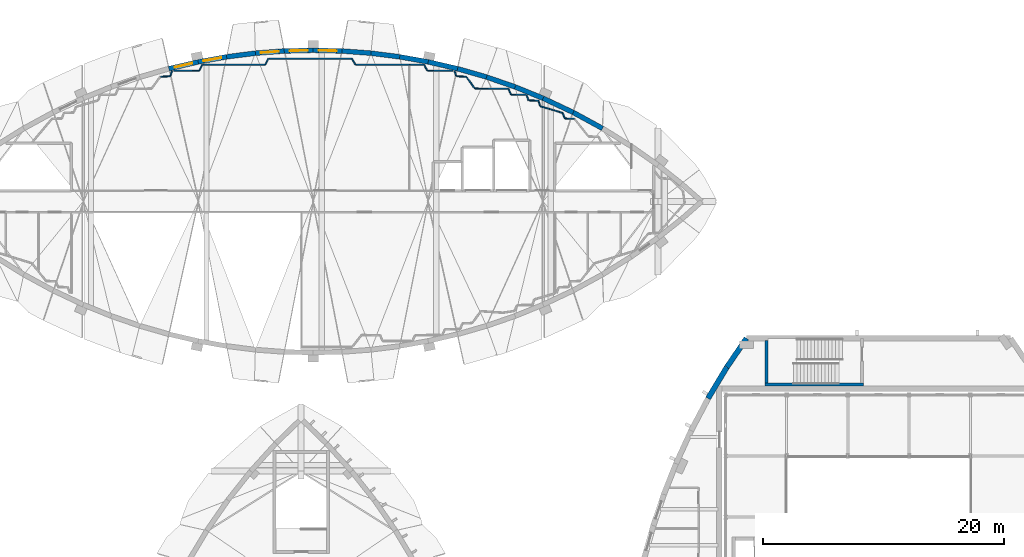
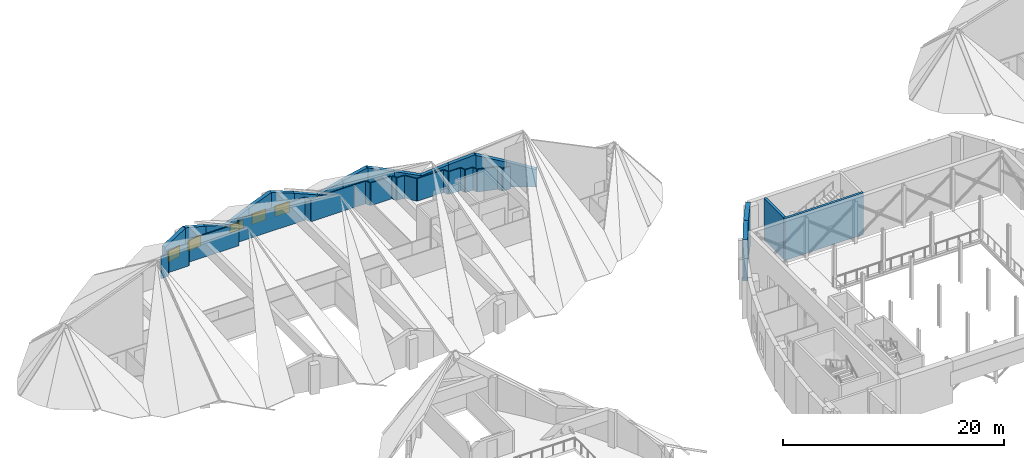
# One storey, part 42 of 56: 43 walls, 5 windows, 5 openings.
"""IFC4 building model written with IfcOpenShell, lengths in metres."""

from ifc_helpers import new_model, si_unit, direction, frame, frame_2d, origin, place, context, subcontext, project, spatial, polyline, rectangle, outline, extrude, material, layer, layer_set, type_object, element, fill, save


model = new_model("IFC4")

# Units and contexts
model_context = context("Model", 3, precision=1e-05, world=origin(), true_north=direction((0.0, 1.0)))
body_context = subcontext(model_context, "Body", "Model", "MODEL_VIEW")
ifc_project = project(units=[si_unit("LENGTHUNIT", "METRE"), si_unit("AREAUNIT", "SQUARE_METRE"), si_unit("VOLUMEUNIT", "CUBIC_METRE"), si_unit("PLANEANGLEUNIT", "RADIAN"), si_unit("MASSUNIT", "GRAM", prefix="KILO")], contexts=[model_context])

# Site, building, storey
site_placement = place(None, origin())
site = spatial("IfcSite", under=ifc_project, at=site_placement, CompositionType="ELEMENT")
building_placement = place(site_placement, origin())
building = spatial("IfcBuilding", under=site, at=building_placement, Name="Tide Square Theatres", CompositionType="ELEMENT")
storey_placement = place(building_placement, frame((0.0, 0.0, 10.199951171875)))
storey = spatial("IfcBuildingStorey", under=building, at=storey_placement, Name="L02", CompositionType="ELEMENT", Elevation=10.199951171875)

# Walls
ifc_material_1 = material(Name="Gypsum board on steel studs", Category="steel")
ifc_layer_1 = layer(ifc_material_1, 0.10009765625)
ifc_layer_set_1 = layer_set([ifc_layer_1], Name="Gypsum board on steel studs")
wall_type_1 = type_object("IfcWallType", Name="Partition 100 thick", PredefinedType="PARTITIONING", material=ifc_layer_set_1)
wall_1_placement = place(storey_placement, frame((24.31494140625, 108.171630859375, 0.0), z_axis=(0.0, 0.0, 1.0), x_axis=(0.999045756938, 0.043675800441, 0.0)))
element("IfcWall", 1, at=wall_1_placement, inside=storey, type_object=wall_type_1, Name="Scenery Workshops partition", PredefinedType="PARTITIONING", context=body_context, shape_type="SweptSolid", body=[
    extrude(rectangle(XDim=0.79931640625, YDim=0.10009765625, at=frame_2d((0.399658203125, 0.0))), origin(), (0.0, 0.0, 1.0), 2.5),
])
wall_2_placement = place(storey_placement, frame((25.12353515625, 108.234619140625, 0.0), z_axis=(0.0, 0.0, 1.0), x_axis=(0.33308542837, 0.942896652559, 0.0)))
element("IfcWall", 2, at=wall_2_placement, inside=storey, type_object=wall_type_1, Name="Scenery Workshops partition", PredefinedType="PARTITIONING", context=body_context, shape_type="SweptSolid", body=[
    extrude(rectangle(XDim=0.43310546875, YDim=0.10009765625, at=frame_2d((0.216552734375, 0.0))), origin(), (0.0, 0.0, 1.0), 2.5),
])
wall_3_placement = place(storey_placement, frame((25.3896484375, 108.67138671875, 0.0), z_axis=(0.0, 0.0, 1.0), x_axis=(0.999996564981, 0.002621073618, 0.0)))
element("IfcWall", 3, at=wall_3_placement, inside=storey, type_object=wall_type_1, Name="Scenery Workshops partition", PredefinedType="PARTITIONING", context=body_context, shape_type="SweptSolid", body=[
    extrude(rectangle(XDim=2.142333984375, YDim=0.10009765625, at=frame_2d((1.0712890625, 0.0))), origin(), (0.0, 0.0, 1.0), 2.5),
])
wall_4_placement = place(storey_placement, frame((27.54541015625, 108.70361328125, 0.0), z_axis=(0.0, 0.0, 1.0), x_axis=(0.450752714932, 0.892648861525, 0.0)))
element("IfcWall", 4, at=wall_4_placement, inside=storey, type_object=wall_type_1, Name="Scenery Workshops partition", PredefinedType="PARTITIONING", context=body_context, shape_type="SweptSolid", body=[
    extrude(rectangle(XDim=0.523681640625, YDim=0.10009765625, at=frame_2d((0.26171875, 0.0))), origin(), (0.0, 0.0, 1.0), 2.5),
])
wall_5_placement = place(storey_placement, frame((27.811279296875, 109.171142578125, 0.0), z_axis=(0.0, 0.0, 1.0), x_axis=(0.999999960195, 0.000282153763, 0.0)))
element("IfcWall", 5, at=wall_5_placement, inside=storey, type_object=wall_type_1, Name="Scenery Workshops partition", PredefinedType="PARTITIONING", context=body_context, shape_type="SweptSolid", body=[
    extrude(rectangle(XDim=5.191650390625, YDim=0.10009765625, at=frame_2d((2.595703125, 0.0))), origin(), (0.0, 0.0, 1.0), 2.5),
])
wall_6_placement = place(storey_placement, frame((33.017578125, 109.19873046875, 0.0), z_axis=(0.0, 0.0, 1.0), x_axis=(0.489426541751, 0.872044528811, 0.0)))
element("IfcWall", 6, at=wall_6_placement, inside=storey, type_object=wall_type_1, Name="Scenery Workshops partition", PredefinedType="PARTITIONING", context=body_context, shape_type="SweptSolid", body=[
    extrude(rectangle(XDim=0.541748046875, YDim=0.10009765625, at=frame_2d((0.27099609375, 0.0))), origin(), (0.0, 0.0, 1.0), 2.5),
])
wall_7_placement = place(storey_placement, frame((33.3125, 109.671142578125, 0.0), z_axis=(0.0, 0.0, 1.0), x_axis=(0.999999999377, 3.5295779e-05, 0.0)))
element("IfcWall", 7, at=wall_7_placement, inside=storey, type_object=wall_type_1, Name="Scenery Workshops partition", PredefinedType="PARTITIONING", context=body_context, shape_type="SweptSolid", body=[
    extrude(rectangle(XDim=6.9169921875, YDim=0.10009765625, at=frame_2d((3.45849609375, 0.0))), origin(), (0.0, 0.0, 1.0), 2.5),
])
wall_8_placement = place(storey_placement, frame((40.243896484375, 109.645263671875, 0.0), z_axis=(0.0, 0.0, 1.0), x_axis=(0.489234259107, -0.872152417709, 0.0)))
element("IfcWall", 8, at=wall_8_placement, inside=storey, type_object=wall_type_1, Name="Scenery Workshops partition", PredefinedType="PARTITIONING", context=body_context, shape_type="SweptSolid", body=[
    extrude(rectangle(XDim=0.5419921875, YDim=0.10009765625, at=frame_2d((0.27099609375, 0.0))), origin(), (0.0, 0.0, 1.0), 2.5),
])
wall_9_placement = place(storey_placement, frame((40.5390625, 109.172607421875, 0.0), z_axis=(0.0, 0.0, 1.0), x_axis=(0.999999976038, -0.00021891418, 0.0)))
element("IfcWall", 9, at=wall_9_placement, inside=storey, type_object=wall_type_1, Name="Scenery Workshops partition", PredefinedType="PARTITIONING", context=body_context, shape_type="SweptSolid", body=[
    extrude(rectangle(XDim=4.4609375, YDim=0.10009765625, at=frame_2d((2.23046875, 0.0))), origin(), (0.0, 0.0, 1.0), 2.5),
])
wall_10_placement = place(storey_placement, frame((45.0400390625, 109.171630859375, 0.0), z_axis=(0.0, 0.0, 1.0), x_axis=(0.99999997897, -0.000205086132, 0.0)))
element("IfcWall", 10, at=wall_10_placement, inside=storey, type_object=wall_type_1, Name="Scenery Workshops partition", PredefinedType="PARTITIONING", context=body_context, shape_type="SweptSolid", body=[
    extrude(rectangle(XDim=1.1904296875, YDim=0.10009765625, at=frame_2d((0.59521484375, 0.0))), origin(), (0.0, 0.0, 1.0), 2.5),
])
wall_11_placement = place(storey_placement, frame((46.244140625, 109.14453125, 0.0), z_axis=(0.0, 0.0, 1.0), x_axis=(0.450752714932, -0.892648861525, 0.0)))
element("IfcWall", 11, at=wall_11_placement, inside=storey, type_object=wall_type_1, Name="Scenery Workshops partition", PredefinedType="PARTITIONING", context=body_context, shape_type="SweptSolid", body=[
    extrude(rectangle(XDim=0.523681640625, YDim=0.10009765625, at=frame_2d((0.26171875, 0.0))), origin(), (0.0, 0.0, 1.0), 2.5),
])
wall_12_placement = place(storey_placement, frame((46.510009765625, 108.6767578125, 0.0), z_axis=(0.0, 0.0, 1.0), x_axis=(0.999997017979, -0.002442137153, 0.0)))
element("IfcWall", 12, at=wall_12_placement, inside=storey, type_object=wall_type_1, Name="Scenery Workshops partition", PredefinedType="PARTITIONING", context=body_context, shape_type="SweptSolid", body=[
    extrude(rectangle(XDim=2.099365234375, YDim=0.10009765625, at=frame_2d((1.0498046875, 0.0))), origin(), (0.0, 0.0, 1.0), 2.5),
])
wall_13_placement = place(storey_placement, frame((48.745361328125, 108.64013671875, 0.0), z_axis=(0.0, 0.0, 1.0), x_axis=(0.332903434189, -0.942960923636, 0.0)))
element("IfcWall", 13, at=wall_13_placement, inside=storey, type_object=wall_type_1, Name="Scenery Workshops partition", PredefinedType="PARTITIONING", context=body_context, shape_type="SweptSolid", body=[
    extrude(rectangle(XDim=0.459716796875, YDim=0.10009765625, at=frame_2d((0.22998046875, 0.0))), origin(), (0.0, 0.0, 1.0), 2.5),
])
wall_14_placement = place(storey_placement, frame((48.928466796875, 108.205078125, 0.0), z_axis=(0.0, 0.0, 1.0), x_axis=(0.999058462777, -0.043384190127, 0.0)))
element("IfcWall", 14, at=wall_14_placement, inside=storey, type_object=wall_type_1, Name="Scenery Workshops partition", PredefinedType="PARTITIONING", context=body_context, shape_type="SweptSolid", body=[
    extrude(rectangle(XDim=0.799072265625, YDim=0.10009765625, at=frame_2d((0.3994140625, 0.0))), origin(), (0.0, 0.0, 1.0), 2.5),
])
wall_15_placement = place(storey_placement, frame((49.74462890625, 108.146240234375, 0.0), z_axis=(0.0, 0.0, 1.0), x_axis=(0.589317177095, -0.807901766789, 0.0)))
element("IfcWall", 15, at=wall_15_placement, inside=storey, type_object=wall_type_1, Name="Scenery Workshops partition", PredefinedType="PARTITIONING", context=body_context, shape_type="SweptSolid", body=[
    extrude(rectangle(XDim=1.190673828125, YDim=0.10009765625, at=frame_2d((0.59521484375, 0.0))), origin(), (0.0, 0.0, 1.0), 2.5),
])
wall_16_placement = place(storey_placement, frame((50.476318359375, 107.18408203125, 0.0), z_axis=(0.0, 0.0, 1.0), x_axis=(0.999988975535, -0.004695615815, 0.0)))
element("IfcWall", 16, at=wall_16_placement, inside=storey, type_object=wall_type_1, Name="Scenery Workshops partition", PredefinedType="PARTITIONING", context=body_context, shape_type="SweptSolid", body=[
    extrude(rectangle(XDim=2.755615234375, YDim=0.10009765625, at=frame_2d((1.3779296875, 0.0))), origin(), (0.0, 0.0, 1.0), 2.5),
])
wall_17_placement = place(storey_placement, frame((53.244140625, 107.143798828125, 0.0), z_axis=(0.0, 0.0, 1.0), x_axis=(0.411833069316, -0.911259306135, 0.0)))
element("IfcWall", 17, at=wall_17_placement, inside=storey, type_object=wall_type_1, Name="Scenery Workshops partition", PredefinedType="PARTITIONING", context=body_context, shape_type="SweptSolid", body=[
    extrude(rectangle(XDim=0.50439453125, YDim=0.10009765625, at=frame_2d((0.252197265625, 0.0))), origin(), (0.0, 0.0, 1.0), 2.5),
])
wall_18_placement = place(storey_placement, frame((53.48193359375, 106.683837890625, 0.0), z_axis=(0.0, 0.0, 1.0), x_axis=(0.99994844942, -0.010153743286, 0.0)))
element("IfcWall", 18, at=wall_18_placement, inside=storey, type_object=wall_type_1, Name="Scenery Workshops partition", PredefinedType="PARTITIONING", context=body_context, shape_type="SweptSolid", body=[
    extrude(rectangle(XDim=1.250244140625, YDim=0.10009765625, at=frame_2d((0.625, 0.0))), origin(), (0.0, 0.0, 1.0), 2.5),
])
wall_19_placement = place(storey_placement, frame((54.74462890625, 106.641845703125, 0.0), z_axis=(0.0, 0.0, 1.0), x_axis=(0.333152028808, -0.942873122801, 0.0)))
element("IfcWall", 19, at=wall_19_placement, inside=storey, type_object=wall_type_1, Name="Scenery Workshops partition", PredefinedType="PARTITIONING", context=body_context, shape_type="SweptSolid", body=[
    extrude(rectangle(XDim=0.461669921875, YDim=0.10009765625, at=frame_2d((0.23095703125, 0.0))), origin(), (0.0, 0.0, 1.0), 2.5),
])
wall_20_placement = place(storey_placement, frame((54.928466796875, 106.205078125, 0.0), z_axis=(0.0, 0.0, 1.0), x_axis=(0.999066390707, -0.043201237941, 0.0)))
element("IfcWall", 20, at=wall_20_placement, inside=storey, type_object=wall_type_1, Name="Scenery Workshops partition", PredefinedType="PARTITIONING", context=body_context, shape_type="SweptSolid", body=[
    extrude(rectangle(XDim=0.80810546875, YDim=0.10009765625, at=frame_2d((0.404052734375, 0.0))), origin(), (0.0, 0.0, 1.0), 2.5),
])
wall_21_placement = place(storey_placement, frame((55.74462890625, 106.141357421875, 0.0), z_axis=(0.0, 0.0, 1.0), x_axis=(0.293777716548, -0.955873764291, 0.0)))
element("IfcWall", 21, at=wall_21_placement, inside=storey, type_object=wall_type_1, Name="Scenery Workshops partition", PredefinedType="PARTITIONING", context=body_context, shape_type="SweptSolid", body=[
    extrude(rectangle(XDim=0.445556640625, YDim=0.10009765625, at=frame_2d((0.22265625, 0.0))), origin(), (0.0, 0.0, 1.0), 2.5),
])
wall_22_placement = place(storey_placement, frame((55.904296875, 105.70703125, 0.0), z_axis=(0.0, 0.0, 1.0), x_axis=(0.958791665813, -0.284110087057, 0.0)))
element("IfcWall", 22, at=wall_22_placement, inside=storey, type_object=wall_type_1, Name="Scenery Workshops partition", PredefinedType="PARTITIONING", context=body_context, shape_type="SweptSolid", body=[
    extrude(rectangle(XDim=1.91015625, YDim=0.10009765625, at=frame_2d((0.955078125, 0.0))), origin(), (0.0, 0.0, 1.0), 2.5),
])
wall_23_placement = place(storey_placement, frame((57.743408203125, 105.145751953125, 0.0), z_axis=(0.0, 0.0, 1.0), x_axis=(0.372082240261, -0.928199766474, 0.0)))
element("IfcWall", 23, at=wall_23_placement, inside=storey, type_object=wall_type_1, Name="Scenery Workshops partition", PredefinedType="PARTITIONING", context=body_context, shape_type="SweptSolid", body=[
    extrude(rectangle(XDim=0.48681640625, YDim=0.10009765625, at=frame_2d((0.243408203125, 0.0))), origin(), (0.0, 0.0, 1.0), 2.5),
])
wall_24_placement = place(storey_placement, frame((57.95458984375, 104.693115234375, 0.0), z_axis=(0.0, 0.0, 1.0), x_axis=(0.999585085913, -0.028803750101, 0.0)))
element("IfcWall", 24, at=wall_24_placement, inside=storey, type_object=wall_type_1, Name="Scenery Workshops partition", PredefinedType="PARTITIONING", context=body_context, shape_type="SweptSolid", body=[
    extrude(rectangle(XDim=0.771240234375, YDim=0.10009765625, at=frame_2d((0.3857421875, 0.0))), origin(), (0.0, 0.0, 1.0), 2.5),
])
ifc_material_2 = material(Name="Concrete C40", Category="concrete")
ifc_layer_2 = layer(ifc_material_2, 0.39990234375)
ifc_layer_set_2 = layer_set([ifc_layer_2], Name="Concrete C40")
wall_type_2 = type_object("IfcWallType", Name="RC curved wall 400 thick", PredefinedType="SOLIDWALL", material=ifc_layer_set_2)
wall_25_placement = place(storey_placement, frame((61.0615234375, 103.870849609375, 0.0), z_axis=(0.0, 0.0, 1.0), x_axis=(-0.878255502871, 0.478191668347, 0.0)))
element("IfcWall", 25, at=wall_25_placement, inside=storey, type_object=wall_type_2, Name="Scenery Workshops perimeter wall 032", PredefinedType="SOLIDWALL", context=body_context, shape_type="SweptSolid", body=[
    extrude(outline(polyline([(0.0, 0.0), (2.771728515625, 0.0), (2.771728515625, 2.76416015625), (2.737060546875, 2.7529296875), (0.09912109375, 1.896240234375), (0.0, 1.96630859375), (0.0, 0.0)])), frame((0.0, 0.199951171875, 0.0), z_axis=(0.0, -1.0, 0.0), x_axis=(1.0, 0.0, 0.0)), (0.0, 0.0, 1.0), 0.39990234375),
])
wall_26_placement = place(storey_placement, frame((58.627197265625, 105.1962890625, 0.0), z_axis=(0.0, 0.0, 1.0), x_axis=(-0.904561064695, 0.42634408667, 0.0)))
element("IfcWall", 26, at=wall_26_placement, inside=storey, type_object=wall_type_2, Name="Scenery Workshops perimeter wall 033", PredefinedType="SOLIDWALL", context=body_context, shape_type="SweptSolid", body=[
    extrude(outline(polyline([(0.0, 0.0), (2.772216796875, 0.0), (2.772216796875, 3.673828125), (2.75, 3.666748046875), (2.65576171875, 3.635986328125), (2.561279296875, 3.60546875), (0.0, 2.768310546875), (0.0, 0.0)])), frame((0.0, 0.199951171875, 0.0), z_axis=(0.0, -1.0, 0.0), x_axis=(1.0, 0.0, 0.0)), (0.0, 0.0, 1.0), 0.39990234375),
])
wall_27_placement = place(storey_placement, frame((56.11962890625, 106.378173828125, 0.0), z_axis=(0.0, 0.0, 1.0), x_axis=(-0.926688932252, 0.375829246921, 0.0)))
element("IfcWall", 27, at=wall_27_placement, inside=storey, type_object=wall_type_2, Name="Scenery Workshops perimeter wall 034", PredefinedType="SOLIDWALL", context=body_context, shape_type="SweptSolid", body=[
    extrude(outline(polyline([(0.0, 0.0), (2.5107421875, 0.0), (2.5107421875, 2.879150390625), (2.36669921875, 2.930908203125), (0.194580078125, 3.709228515625), (0.113525390625, 3.738525390625), (0.0, 3.677734375), (0.0, 0.0)])), frame((0.0, 0.199951171875, 0.0), z_axis=(0.0, -1.0, 0.0), x_axis=(1.0, 0.0, 0.0)), (0.0, 0.0, 1.0), 0.39990234375),
])
wall_28_placement = place(storey_placement, frame((53.79296875, 107.32177734375, 0.0), z_axis=(0.0, 0.0, 1.0), x_axis=(-0.945175475032, 0.326562890417, 0.0)))
element("IfcWall", 28, at=wall_28_placement, inside=storey, type_object=wall_type_2, Name="Scenery Workshops perimeter wall 035", PredefinedType="SOLIDWALL", context=body_context, shape_type="SweptSolid", body=[
    extrude(outline(polyline([(0.0, 0.0), (2.51123046875, 0.0), (2.510986328125, 1.987060546875), (2.3212890625, 2.050048828125), (0.12890625, 2.8359375), (0.0, 2.875732421875), (0.0, 0.0)])), frame((0.0, 0.199951171875, 0.0), z_axis=(0.0, -1.0, 0.0), x_axis=(1.0, 0.0, 0.0)), (0.0, 0.0, 1.0), 0.39990234375),
])
wall_29_placement = place(storey_placement, frame((51.41943359375, 108.141845703125, 0.0), z_axis=(0.0, 0.0, 1.0), x_axis=(-0.961008605775, 0.276518461637, 0.0)))
element("IfcWall", 29, at=wall_29_placement, inside=storey, type_object=wall_type_2, Name="Scenery Workshops perimeter wall 036", PredefinedType="SOLIDWALL", context=body_context, shape_type="SweptSolid", body=[
    extrude(outline(polyline([(0.0, 0.0), (2.510986328125, 0.0), (2.510986328125, 2.890625), (2.498779296875, 2.88623046875), (0.0, 1.99072265625), (0.0, 0.0)])), frame((0.0, 0.199951171875, 0.0), z_axis=(0.0, -1.0, 0.0), x_axis=(1.0, 0.0, 0.0)), (0.0, 0.0, 1.0), 0.39990234375),
])
wall_30_placement = place(storey_placement, frame((49.00634765625, 108.836181640625, 0.0), z_axis=(0.0, 0.0, 1.0), x_axis=(-0.974189274843, 0.225732710925, 0.0)))
element("IfcWall", 30, at=wall_30_placement, inside=storey, type_object=wall_type_2, Name="Scenery Workshops perimeter wall 037", PredefinedType="SOLIDWALL", context=body_context, shape_type="SweptSolid", body=[
    extrude(outline(polyline([(0.0, 0.0), (2.511474609375, 0.0), (2.51123046875, 3.796875), (2.4716796875, 3.78271484375), (2.37890625, 3.74951171875), (0.0, 2.89453125), (0.0, 0.0)])), frame((0.0, 0.199951171875, 0.0), z_axis=(0.0, -1.0, 0.0), x_axis=(1.0, 0.0, 0.0)), (0.0, 0.0, 1.0), 0.39990234375),
])
wall_31_placement = place(storey_placement, frame((46.559814453125, 109.403076171875, 0.0), z_axis=(0.0, 0.0, 1.0), x_axis=(-0.984524011381, 0.175249738987, 0.0)))
element("IfcWall", 31, at=wall_31_placement, inside=storey, type_object=wall_type_2, Name="Scenery Workshops perimeter wall 038", PredefinedType="SOLIDWALL", context=body_context, shape_type="SweptSolid", body=[
    extrude(outline(polyline([(0.0, 0.0), (2.406005859375, 0.0), (2.406005859375, 2.943603515625), (2.328125, 2.97265625), (0.0849609375, 3.811767578125), (0.0, 3.80078125), (0.0, 0.0)])), frame((0.0, 0.199951171875, 0.0), z_axis=(0.0, -1.0, 0.0), x_axis=(1.0, 0.0, 0.0)), (0.0, 0.0, 1.0), 0.39990234375),
])
wall_32_placement = place(storey_placement, frame((44.191162109375, 109.82470703125, 0.0), z_axis=(0.0, 0.0, 1.0), x_axis=(-0.99208939311, 0.125533406227, 0.0)))
element("IfcWall", 32, at=wall_32_placement, inside=storey, type_object=wall_type_2, Name="Scenery Workshops perimeter wall 039", PredefinedType="SOLIDWALL", context=body_context, shape_type="SweptSolid", body=[
    extrude(outline(polyline([(0.0, 0.0), (2.40576171875, 0.0), (2.406005859375, 2.041259765625), (2.298095703125, 2.08154296875), (0.06640625, 2.916259765625), (0.0, 2.93994140625), (0.0, 0.0)])), frame((0.0, 0.199951171875, 0.0), z_axis=(0.0, -1.0, 0.0), x_axis=(1.0, 0.0, 0.0)), (0.0, 0.0, 1.0), 0.39990234375),
])
wall_33_placement = place(storey_placement, frame((41.804443359375, 110.126708984375, 0.0), z_axis=(0.0, 0.0, 1.0), x_axis=(-0.997153910364, 0.075392831525, 0.0)))
element("IfcWall", 33, at=wall_33_placement, inside=storey, type_object=wall_type_2, Name="Scenery Workshops perimeter wall 040", PredefinedType="SOLIDWALL", context=body_context, shape_type="SweptSolid", body=[
    extrude(outline(polyline([(0.0, 0.0), (2.406005859375, 0.0), (2.406005859375, 2.94140625), (2.383056640625, 2.933349609375), (0.06103515625, 2.0634765625), (0.0, 2.04052734375), (0.0, 0.0)])), frame((0.0, 0.199951171875, 0.0), z_axis=(0.0, -1.0, 0.0), x_axis=(1.0, 0.0, 0.0)), (0.0, 0.0, 1.0), 0.39990234375),
])

# Wall, opening, window
wall_34_placement = place(storey_placement, frame((39.4052734375, 110.30810546875, 0.0), z_axis=(0.0, 0.0, 1.0), x_axis=(-0.999683321759, 0.025164582196, 0.0)))
wall_34 = element("IfcWall", 34, at=wall_34_placement, inside=storey, type_object=wall_type_2, Name="Scenery Workshops perimeter wall 041", PredefinedType="SOLIDWALL", context=body_context, shape_type="SweptSolid", body=[
    extrude(outline(polyline([(0.0, 0.0), (2.406005859375, 0.0), (2.406005859375, 3.844970703125), (2.33349609375, 3.81787109375), (0.0, 2.945068359375), (0.0, 0.0)])), frame((0.0, 0.199951171875, 0.0), z_axis=(0.0, -1.0, 0.0), x_axis=(1.0, 0.0, 0.0)), (0.0, 0.0, 1.0), 0.39990234375),
])
opening_1_placement = place(wall_34_placement, frame((0.452880859375, 0.0, 0.89990234375)))
opening_1 = element("IfcOpeningElement", 35, at=opening_1_placement, cuts=wall_34, Name="Opening WN-03", PredefinedType="OPENING", context=body_context, shape_type="SweptSolid", body=[
    extrude(rectangle(XDim=1.5, YDim=1.199951171875, at=frame_2d((0.75, 0.60009765625))), frame((0.0, 0.2099609375, 0.0), z_axis=(0.0, -1.0, 0.0), x_axis=(1.0, 0.0, 0.0)), (0.0, 0.0, 1.0), 0.419921875),
])
ifc_material_3 = material(Name="Aluminium with laminated glass", Category="aluminium")
window_type_1 = type_object("IfcWindowType", Name="Window 1500 x 1200", PartitioningType="SINGLE_PANEL", PredefinedType="WINDOW", material=ifc_material_3)
window_1_placement = place(opening_1_placement, origin())
window_1 = element("IfcWindow", 36, at=window_1_placement, inside=storey, type_object=window_type_1, Name="Scenery Workshops window L02-94", OverallHeight=1.199951171875, OverallWidth=1.5, PartitioningType="SINGLE_PANEL", PredefinedType="WINDOW", context=body_context, shape_type="SweptSolid", body=[
    extrude(rectangle(XDim=1.5, YDim=1.199951171875, at=frame_2d((0.75, 0.60009765625))), frame((0.0, 0.030029296875, 0.0), z_axis=(0.0, -1.0, 0.0), x_axis=(1.0, 0.0, 0.0)), (0.0, 0.0, 1.0), 0.06005859375),
])
fill(opening_1, window_1)

wall_35_placement = place(storey_placement, frame((37.0, 110.36865234375, 0.0), z_axis=(0.0, 0.0, 1.0), x_axis=(-0.999683321759, -0.025164582196, 0.0)))
wall_35 = element("IfcWall", 37, at=wall_35_placement, inside=storey, type_object=wall_type_2, Name="Scenery Workshops perimeter wall 042", PredefinedType="SOLIDWALL", context=body_context, shape_type="SweptSolid", body=[
    extrude(outline(polyline([(0.0, 0.0), (2.406005859375, 0.0), (2.406005859375, 2.945068359375), (2.372802734375, 2.95751953125), (0.0625, 3.821533203125), (0.0, 3.844970703125), (0.0, 0.0)])), frame((0.0, 0.199951171875, 0.0), z_axis=(0.0, -1.0, 0.0), x_axis=(1.0, 0.0, 0.0)), (0.0, 0.0, 1.0), 0.39990234375),
])
opening_2_placement = place(wall_35_placement, frame((0.452880859375, 0.0, 0.89990234375)))
opening_2 = element("IfcOpeningElement", 38, at=opening_2_placement, cuts=wall_35, Name="Opening WN-03", PredefinedType="OPENING", context=body_context, shape_type="SweptSolid", body=[
    extrude(rectangle(XDim=1.5, YDim=1.199951171875, at=frame_2d((0.75, 0.60009765625))), frame((0.0, 0.2099609375, 0.0), z_axis=(0.0, -1.0, 0.0), x_axis=(1.0, 0.0, 0.0)), (0.0, 0.0, 1.0), 0.419921875),
])
window_2_placement = place(opening_2_placement, origin())
window_2 = element("IfcWindow", 39, at=window_2_placement, inside=storey, type_object=window_type_1, Name="Scenery Workshops window L02-95", OverallHeight=1.199951171875, OverallWidth=1.5, PartitioningType="SINGLE_PANEL", PredefinedType="WINDOW", context=body_context, shape_type="SweptSolid", body=[
    extrude(rectangle(XDim=1.5, YDim=1.199951171875, at=frame_2d((0.75, 0.60009765625))), frame((0.0, 0.030029296875, 0.0), z_axis=(0.0, -1.0, 0.0), x_axis=(1.0, 0.0, 0.0)), (0.0, 0.0, 1.0), 0.06005859375),
])
fill(opening_2, window_2)

wall_36_placement = place(storey_placement, frame((34.5947265625, 110.30810546875, 0.0), z_axis=(0.0, 0.0, 1.0), x_axis=(-0.997153910364, -0.075392831525, 0.0)))
wall_36 = element("IfcWall", 40, at=wall_36_placement, inside=storey, type_object=wall_type_2, Name="Scenery Workshops perimeter wall 043", PredefinedType="SOLIDWALL", context=body_context, shape_type="SweptSolid", body=[
    extrude(outline(polyline([(0.0, 0.0), (2.406005859375, 0.0), (2.406005859375, 2.052001953125), (2.344970703125, 2.0634765625), (0.0, 2.94140625), (0.0, 0.0)])), frame((0.0, 0.199951171875, 0.0), z_axis=(0.0, -1.0, 0.0), x_axis=(1.0, 0.0, 0.0)), (0.0, 0.0, 1.0), 0.39990234375),
])
opening_3_placement = place(wall_36_placement, frame((0.452880859375, 0.0, 0.89990234375)))
opening_3 = element("IfcOpeningElement", 41, at=opening_3_placement, cuts=wall_36, Name="Opening WN-04", PredefinedType="OPENING", context=body_context, shape_type="SweptSolid", body=[
    extrude(rectangle(XDim=1.5, YDim=0.89990234375, at=frame_2d((0.75, 0.449951171875))), frame((0.0, 0.2099609375, 0.0), z_axis=(0.0, -1.0, 0.0), x_axis=(1.0, 0.0, 0.0)), (0.0, 0.0, 1.0), 0.419921875),
])
ifc_material_4 = material(Name="Aluminium with laminated glass", Category="aluminium")
window_type_2 = type_object("IfcWindowType", Name="Window 1500 x 900", PartitioningType="SINGLE_PANEL", PredefinedType="WINDOW", material=ifc_material_4)
window_3_placement = place(opening_3_placement, origin())
window_3 = element("IfcWindow", 42, at=window_3_placement, inside=storey, type_object=window_type_2, Name="Scenery Workshops window L02-96", OverallHeight=0.89990234375, OverallWidth=1.5, PartitioningType="SINGLE_PANEL", PredefinedType="WINDOW", context=body_context, shape_type="SweptSolid", body=[
    extrude(rectangle(XDim=1.5, YDim=0.89990234375, at=frame_2d((0.75, 0.449951171875))), frame((0.0, 0.030029296875, 0.0), z_axis=(0.0, -1.0, 0.0), x_axis=(1.0, 0.0, 0.0)), (0.0, 0.0, 1.0), 0.06005859375),
])
fill(opening_3, window_3)

# Wall
wall_37_placement = place(storey_placement, frame((32.195556640625, 110.126708984375, 0.0), z_axis=(0.0, 0.0, 1.0), x_axis=(-0.99208939311, -0.125533406227, 0.0)))
element("IfcWall", 43, at=wall_37_placement, inside=storey, type_object=wall_type_2, Name="Scenery Workshops perimeter wall 044", PredefinedType="SOLIDWALL", context=body_context, shape_type="SweptSolid", body=[
    extrude(outline(polyline([(0.0, 0.0), (2.40576171875, 0.0), (2.406005859375, 2.95458984375), (2.339599609375, 2.9306640625), (0.107666015625, 2.095947265625), (0.0, 2.0556640625), (0.0, 0.0)])), frame((0.0, 0.199951171875, 0.0), z_axis=(0.0, -1.0, 0.0), x_axis=(1.0, 0.0, 0.0)), (0.0, 0.0, 1.0), 0.39990234375),
])

# Wall, opening, window
wall_38_placement = place(storey_placement, frame((29.808837890625, 109.82470703125, 0.0), z_axis=(0.0, 0.0, 1.0), x_axis=(-0.984524011381, -0.175249738987, 0.0)))
wall_38 = element("IfcWall", 44, at=wall_38_placement, inside=storey, type_object=wall_type_2, Name="Scenery Workshops perimeter wall 045", PredefinedType="SOLIDWALL", context=body_context, shape_type="SweptSolid", body=[
    extrude(outline(polyline([(0.0, 0.0), (2.406005859375, 0.0), (2.406005859375, 3.816650390625), (2.3564453125, 3.83984375), (2.285400390625, 3.813232421875), (0.07763671875, 2.9873046875), (0.0, 2.958251953125), (0.0, 0.0)])), frame((0.0, 0.199951171875, 0.0), z_axis=(0.0, -1.0, 0.0), x_axis=(1.0, 0.0, 0.0)), (0.0, 0.0, 1.0), 0.39990234375),
])
opening_4_placement = place(wall_38_placement, frame((0.452880859375, 0.0, 0.89990234375)))
opening_4 = element("IfcOpeningElement", 45, at=opening_4_placement, cuts=wall_38, Name="Opening WN-03", PredefinedType="OPENING", context=body_context, shape_type="SweptSolid", body=[
    extrude(rectangle(XDim=1.5, YDim=1.199951171875, at=frame_2d((0.75, 0.60009765625))), frame((0.0, 0.2099609375, 0.0), z_axis=(0.0, -1.0, 0.0), x_axis=(1.0, 0.0, 0.0)), (0.0, 0.0, 1.0), 0.419921875),
])
window_4_placement = place(opening_4_placement, origin())
window_4 = element("IfcWindow", 46, at=window_4_placement, inside=storey, type_object=window_type_1, Name="Scenery Workshops window L02-97", OverallHeight=1.199951171875, OverallWidth=1.5, PartitioningType="SINGLE_PANEL", PredefinedType="WINDOW", context=body_context, shape_type="SweptSolid", body=[
    extrude(rectangle(XDim=1.5, YDim=1.199951171875, at=frame_2d((0.75, 0.60009765625))), frame((0.0, 0.030029296875, 0.0), z_axis=(0.0, -1.0, 0.0), x_axis=(1.0, 0.0, 0.0)), (0.0, 0.0, 1.0), 0.06005859375),
])
fill(opening_4, window_4)

wall_39_placement = place(storey_placement, frame((27.440185546875, 109.403076171875, 0.0), z_axis=(0.0, 0.0, 1.0), x_axis=(-0.974189274843, -0.225732710925, 0.0)))
wall_39 = element("IfcWall", 47, at=wall_39_placement, inside=storey, type_object=wall_type_2, Name="Scenery Workshops perimeter wall 046", PredefinedType="SOLIDWALL", context=body_context, shape_type="SweptSolid", body=[
    extrude(outline(polyline([(0.0, 0.0), (2.511474609375, 0.0), (2.51123046875, 2.910400390625), (0.0859375, 3.781982421875), (0.0, 3.812744140625), (0.0, 0.0)])), frame((0.0, 0.199951171875, 0.0), z_axis=(0.0, -1.0, 0.0), x_axis=(1.0, 0.0, 0.0)), (0.0, 0.0, 1.0), 0.39990234375),
])
opening_5_placement = place(wall_39_placement, frame((0.505615234375, 0.0, 0.89990234375)))
opening_5 = element("IfcOpeningElement", 48, at=opening_5_placement, cuts=wall_39, Name="Opening WN-03", PredefinedType="OPENING", context=body_context, shape_type="SweptSolid", body=[
    extrude(rectangle(XDim=1.5, YDim=1.199951171875, at=frame_2d((0.75, 0.60009765625))), frame((0.0, 0.2099609375, 0.0), z_axis=(0.0, -1.0, 0.0), x_axis=(1.0, 0.0, 0.0)), (0.0, 0.0, 1.0), 0.419921875),
])
window_5_placement = place(opening_5_placement, origin())
window_5 = element("IfcWindow", 49, at=window_5_placement, inside=storey, type_object=window_type_1, Name="Scenery Workshops window L02-98", OverallHeight=1.199951171875, OverallWidth=1.5, PartitioningType="SINGLE_PANEL", PredefinedType="WINDOW", context=body_context, shape_type="SweptSolid", body=[
    extrude(rectangle(XDim=1.5, YDim=1.199951171875, at=frame_2d((0.75, 0.60009765625))), frame((0.0, 0.030029296875, 0.0), z_axis=(0.0, -1.0, 0.0), x_axis=(1.0, 0.0, 0.0)), (0.0, 0.0, 1.0), 0.06005859375),
])
fill(opening_5, window_5)

# Walls
ifc_material_5 = material(Name="Concrete C40", Category="concrete")
ifc_layer_3 = layer(ifc_material_5, 0.449951171875)
ifc_layer_set_3 = layer_set([ifc_layer_3], Name="Concrete C40")
wall_type_3 = type_object("IfcWallType", Name="RC curved wall 450 thick", PredefinedType="SOLIDWALL", material=ifc_layer_set_3)
wall_40_placement = place(storey_placement, frame((73.02587890625, 86.41748046875, 0.0), z_axis=(0.0, 0.0, 1.0), x_axis=(-0.5629642644, -0.826481238147, 0.0)))
element("IfcWall", 50, at=wall_40_placement, inside=storey, type_object=wall_type_3, Name="Main Theatre perimeter wall", PredefinedType="SOLIDWALL", context=body_context, shape_type="SweptSolid", body=[
    extrude(rectangle(XDim=2.908203125, YDim=0.449951171875, at=frame_2d((1.4541015625, 0.0))), origin(), (0.0, 0.0, 1.0), 4.60009765625),
])
wall_41_placement = place(storey_placement, frame((71.388671875, 84.013916015625, 0.0), z_axis=(0.0, 0.0, 1.0), x_axis=(-0.515636119523, -0.856807675177, 0.0)))
element("IfcWall", 51, at=wall_41_placement, inside=storey, type_object=wall_type_3, Name="Main Theatre perimeter wall", PredefinedType="SOLIDWALL", context=body_context, shape_type="SweptSolid", body=[
    extrude(rectangle(XDim=3.021240234375, YDim=0.449951171875, at=frame_2d((1.5107421875, 0.0))), origin(), (0.0, 0.0, 1.0), 4.60009765625),
])
ifc_material_6 = material(Name="Concrete C40", Category="concrete")
ifc_layer_4 = layer(ifc_material_6, 0.25)
ifc_layer_set_4 = layer_set([ifc_layer_4], Name="Concrete C40")
wall_type_4 = type_object("IfcWallType", Name="RC shear wall 250 thick", PredefinedType="SHEAR", material=ifc_layer_set_4)
wall_42_placement = place(storey_placement, frame((74.550048828125, 82.56494140625, 0.0), z_axis=(0.0, 0.0, 1.0), x_axis=(1.0, 0.0, 0.0)))
element("IfcWall", 52, at=wall_42_placement, inside=storey, type_object=wall_type_4, Name="Main Theatre North Stair shaft wall", PredefinedType="SHEAR", context=body_context, shape_type="SweptSolid", body=[
    extrude(rectangle(XDim=8.199951171875, YDim=0.25, at=frame_2d((4.10009765625, 0.0))), origin(), (0.0, 0.0, 1.0), 4.60009765625),
])
wall_43_placement = place(storey_placement, frame((74.675048828125, 82.68994140625, 0.0), z_axis=(0.0, 0.0, 1.0), x_axis=(0.0, 1.0, 0.0)))
element("IfcWall", 53, at=wall_43_placement, inside=storey, type_object=wall_type_4, Name="Main Theatre North Stair shaft wall", PredefinedType="SHEAR", context=body_context, shape_type="SweptSolid", body=[
    extrude(rectangle(XDim=3.550048828125, YDim=0.25, at=frame_2d((1.77490234375, 0.0))), origin(), (0.0, 0.0, 1.0), 4.60009765625),
])

save(model, "model.ifc")
